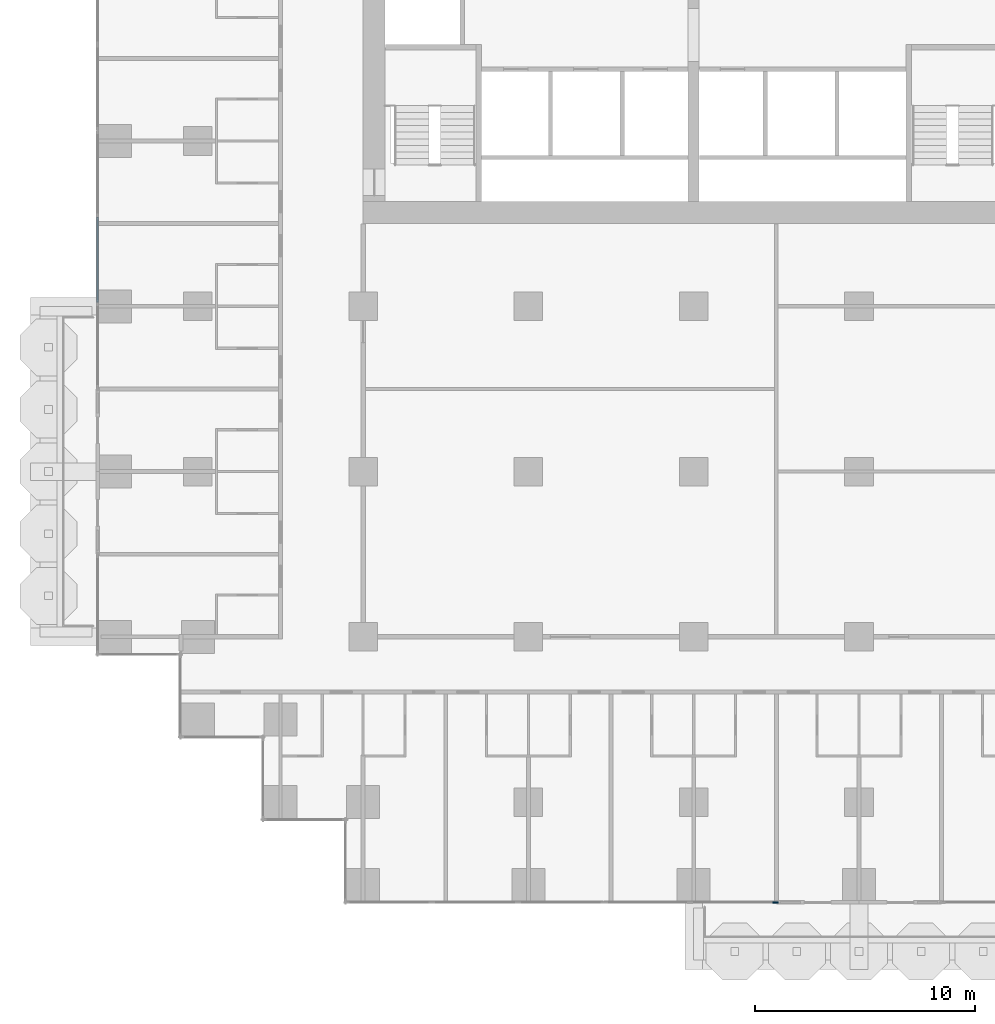
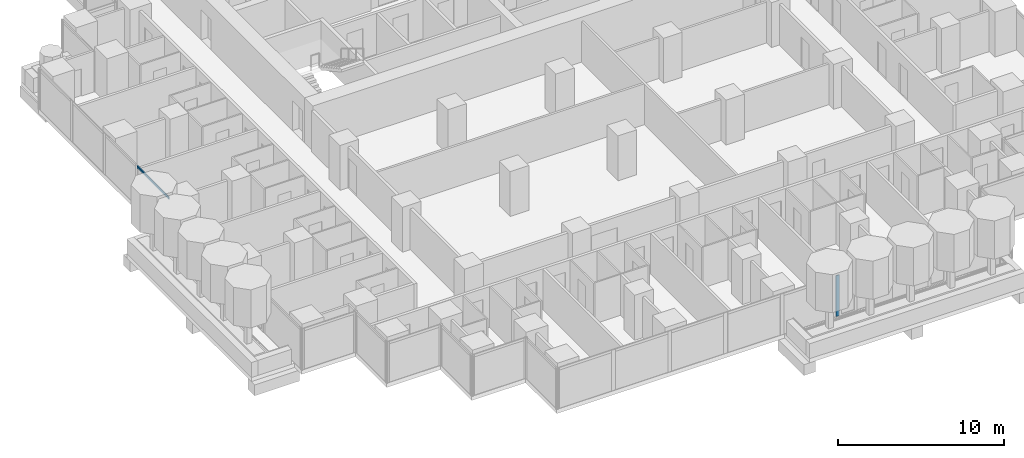
# One storey, part 3 of 20: 2 members, 2 elements without a shape of their own.
"""IFC4 building model written with IfcOpenShell, lengths in metres."""

import ifcopenshell
import ifcopenshell.guid

model = None  # the IFC model being written
_history = None  # IfcOwnerHistory: only IFC2X3 demands one
_inside = {}  # id of a spatial element -> (the spatial element, [elements in it])
_under = {}  # id of a project, library or spatial element -> (it, [spatial elements below it])
_declared = {}  # id of a project -> (the project, [libraries it declares])
_typed = {}  # id of a type object -> (the type object, [elements of that type])
_made_of = {}  # id of a material, layer set ... -> (it, [elements and type objects made of it])


def new_model(schema):
    """Start an empty IFC model of exactly this schema.

    Asked for "IFC4X3", IfcOpenShell would pick the latest addendum, in which some entities
    have other attributes; the version numbers below select the first issue.
    IFC2X3 requires an IfcOwnerHistory on every rooted entity: one is made here for all.
    """
    global model, _history
    if schema == "IFC4X3":
        model = ifcopenshell.file(schema_version=(4, 3, 0, 0))
    else:
        model = ifcopenshell.file(schema=schema)
    _inside.clear()
    _under.clear()
    _declared.clear()
    _typed.clear()
    _made_of.clear()
    _history = None
    if model.schema == "IFC2X3":
        org = make("IfcOrganization", Name="unknown")
        user = make(
            "IfcPersonAndOrganization",
            ThePerson=make("IfcPerson", FamilyName="unknown"),
            TheOrganization=org,
        )
        app = make(
            "IfcApplication",
            ApplicationDeveloper=org,
            Version="unknown",
            ApplicationFullName="unknown",
            ApplicationIdentifier="unknown",
        )
        _history = make(
            "IfcOwnerHistory",
            OwningUser=user,
            OwningApplication=app,
            ChangeAction="ADDED",
            CreationDate=0,
        )
    return model


def make(cls, **values):
    """One entity of the class cls with the attributes given. An attribute that is None is left unset."""
    return model.create_entity(
        cls, **{name: value for name, value in values.items() if value is not None}
    )


def rooted(cls, **values):
    """An entity with a GlobalId (a new one), such as an element, a storey or a relation."""
    return make(cls, GlobalId=ifcopenshell.guid.new(), OwnerHistory=_history, **values)


def si_unit(unit_type, name, prefix=None):
    """IfcSIUnit, for example si_unit("LENGTHUNIT", "METRE", prefix="MILLI")."""
    return make("IfcSIUnit", UnitType=unit_type, Prefix=prefix, Name=name)


def assignment(units):
    """IfcUnitAssignment: the units of a project."""
    return None if units is None else make("IfcUnitAssignment", Units=units)


def point(xyz):
    """IfcCartesianPoint."""
    return None if xyz is None else make("IfcCartesianPoint", Coordinates=xyz)


def direction(xyz):
    """IfcDirection."""
    return None if xyz is None else make("IfcDirection", DirectionRatios=xyz)


def frame(location, z_axis=None, x_axis=None):
    """IfcAxis2Placement3D, a coordinate frame: its origin and axes. An axis left out is left unset."""
    return make(
        "IfcAxis2Placement3D",
        Location=point(location),
        Axis=direction(z_axis),
        RefDirection=direction(x_axis),
    )


def frame_2d(location, x_axis=None):
    """IfcAxis2Placement2D, a coordinate frame in the plane: its origin and x axis."""
    return make(
        "IfcAxis2Placement2D", Location=point(location), RefDirection=direction(x_axis)
    )


def origin():
    """The frame at (0, 0, 0) with its axes left unset."""
    return frame((0.0, 0.0, 0.0))


def origin_2d():
    """The frame at (0, 0) in the plane with its x axis left unset."""
    return frame_2d((0.0, 0.0))


def place(relative_to, where):
    """IfcLocalPlacement: puts the frame where relative to a parent placement (None: the world)."""
    return make(
        "IfcLocalPlacement", PlacementRelTo=relative_to, RelativePlacement=where
    )


def context(
    kind, dimensions, precision=None, world=None, true_north=None, identifier=None
):
    """IfcGeometricRepresentationContext, for example the 3D "Model" context."""
    return make(
        "IfcGeometricRepresentationContext",
        ContextIdentifier=identifier,
        ContextType=kind,
        CoordinateSpaceDimension=dimensions,
        Precision=precision,
        WorldCoordinateSystem=world,
        TrueNorth=true_north,
    )


def subcontext(parent, identifier, kind, view, scale=None):
    """IfcGeometricRepresentationSubContext, for example "Body" below "Model"."""
    return make(
        "IfcGeometricRepresentationSubContext",
        ContextIdentifier=identifier,
        ContextType=kind,
        ParentContext=parent,
        TargetScale=scale,
        TargetView=view,
    )


def project(units=None, contexts=None):
    """IfcProject with its units and contexts."""
    return rooted(
        "IfcProject",
        Name="project",
        RepresentationContexts=contexts,
        UnitsInContext=assignment(units),
    )


def spatial(cls, under=None, at=None, **own):
    """A site, building, storey or space (cls), placed at a placement, below another one or the project."""
    s = rooted(cls, ObjectPlacement=at, **own)
    if under is not None:
        _under.setdefault(under.id(), (under, []))[1].append(s)
    return s


def profile(cls, at=None, kind="AREA", **sizes):
    """A parametric profile (cls). Its sizes go by their IFC names, for example OverallWidth=200.0."""
    return make(cls, ProfileType=kind, Position=at, **sizes)


def rectangle(**sizes):
    """IfcRectangleProfileDef."""
    return profile("IfcRectangleProfileDef", **sizes)


def extrude(swept, where, along, depth):
    """IfcExtrudedAreaSolid: the profile swept, set in the frame where, extruded along a direction by depth."""
    return make(
        "IfcExtrudedAreaSolid",
        SweptArea=swept,
        Position=where,
        ExtrudedDirection=direction(along),
        Depth=depth,
    )


def shape(context_of_items, identifier, shape_type, items):
    """IfcShapeRepresentation: the items that make up one representation, for example the "Body"."""
    return make(
        "IfcShapeRepresentation",
        ContextOfItems=context_of_items,
        RepresentationIdentifier=identifier,
        RepresentationType=shape_type,
        Items=items,
    )


def material(Name=None, Category=None):
    """IfcMaterial."""
    return make("IfcMaterial", Name=Name, Category=Category)


def material_profile(
    of_material, cross_section, Name=None, Category=None, Priority=None
):
    """IfcMaterialProfile: a cross section and its material."""
    return make(
        "IfcMaterialProfile",
        Name=Name,
        Material=of_material,
        Profile=cross_section,
        Priority=Priority,
        Category=Category,
    )


def profile_set(profiles, Name=None, composite=None):
    """IfcMaterialProfileSet."""
    return make(
        "IfcMaterialProfileSet",
        Name=Name,
        MaterialProfiles=profiles,
        CompositeProfile=composite,
    )


def made_of(thing, what):
    """Note that an element or type object is made of a material, layer set ...; save() writes the relation."""
    if what is not None:
        _made_of.setdefault(what.id(), (what, []))[1].append(thing)
    return thing


def type_object(cls, material=None, **own):
    """A type object (cls), such as IfcWallType, which elements share."""
    return made_of(rooted(cls, **own), material)


def element(
    cls,
    number,
    at=None,
    inside=None,
    cuts=None,
    type_object=None,
    material=None,
    context=None,
    identifier="Body",
    shape_type=None,
    held_by="IfcProductDefinitionShape",
    body=None,
    shapes=None,
    **own,
):
    """One element of the class cls, such as IfcWall. Its Tag is "e" and its number.

    at: its placement. inside: the storey or other place that contains it. cuts: it is an
    opening in that element (IfcRelVoidsElement). A single representation is given by context,
    identifier, shape_type and body (its items); several are given by shapes. held_by: the class
    of the entity that holds the representations. save() writes the other relations.
    """
    e = rooted(cls, Tag="e%d" % number, ObjectPlacement=at, **own)
    if body is not None:
        shapes = [shape(context, identifier, shape_type, body)]
    if shapes is not None:
        e.Representation = make(held_by, Representations=shapes)
    if inside is not None:
        _inside.setdefault(inside.id(), (inside, []))[1].append(e)
    if cuts is not None:
        rooted(
            "IfcRelVoidsElement", RelatingBuildingElement=cuts, RelatedOpeningElement=e
        )
    if type_object is not None:
        _typed.setdefault(type_object.id(), (type_object, []))[1].append(e)
    return made_of(e, material)


def aggregate(whole, parts):
    """IfcRelAggregates: a whole, such as a stair, and the parts it consists of."""
    return rooted("IfcRelAggregates", RelatingObject=whole, RelatedObjects=parts)


def save(model, path):
    """Write the relations noted so far, then the file.

    IfcRelAggregates (storeys below a building ...), IfcRelContainedInSpatialStructure (elements
    in a storey), IfcRelDefinesByType, IfcRelAssociatesMaterial and IfcRelDeclares: one each for
    every whole, place, type object, material and project.
    """
    for whole, parts in _under.values():
        aggregate(whole, parts)
    for where, things in _inside.values():
        rooted(
            "IfcRelContainedInSpatialStructure",
            RelatedElements=things,
            RelatingStructure=where,
        )
    for kind, things in _typed.values():
        rooted("IfcRelDefinesByType", RelatedObjects=things, RelatingType=kind)
    for what, things in _made_of.values():
        rooted("IfcRelAssociatesMaterial", RelatedObjects=things, RelatingMaterial=what)
    for by, libraries in _declared.values():
        rooted("IfcRelDeclares", RelatingContext=by, RelatedDefinitions=libraries)
    model.write(path)


model = new_model("IFC4")

# Units and contexts
model_context = context("Model", 3, precision=1e-05, world=origin(), true_north=direction((0.0, 1.0)))
body_context = subcontext(model_context, "Body", "Model", "MODEL_VIEW")
ifc_project = project(units=[si_unit("LENGTHUNIT", "METRE"), si_unit("AREAUNIT", "SQUARE_METRE"), si_unit("VOLUMEUNIT", "CUBIC_METRE"), si_unit("PLANEANGLEUNIT", "RADIAN"), si_unit("MASSUNIT", "GRAM", prefix="KILO")], contexts=[model_context])

# Site, building, storey
site_placement = place(None, origin())
site = spatial("IfcSite", under=ifc_project, at=site_placement, CompositionType="ELEMENT")
building_placement = place(site_placement, origin())
building = spatial("IfcBuilding", under=site, at=building_placement, Name="Pilkhan Gate Tower", CompositionType="ELEMENT")
storey_placement = place(building_placement, frame((0.0, 0.0, 85.699951171875)))
storey = spatial("IfcBuildingStorey", under=building, at=storey_placement, Name="L20", CompositionType="ELEMENT", Elevation=85.699951171875)

# Curtain wall, member
ifc_material_1 = material(Name="Pale anodised aluminium, clear low-iron double glazing", Category="aluminium")
curtain_wall_type = type_object("IfcCurtainWallType", Name="Hotel unitised curtain wall CW-H", PredefinedType="USERDEFINED", material=ifc_material_1)
curtain_wall_1_placement = place(storey_placement, origin())
curtain_wall_1 = element("IfcCurtainWall", 1, at=curtain_wall_1_placement, inside=storey, type_object=curtain_wall_type, Name="Hotel unitised curtain wall CW-H L20 S", ObjectType="UNITISED CURTAIN WALL", PredefinedType="USERDEFINED")
ifc_material_2 = material(Name="Pale anodised aluminium", Category="aluminium")
ifc_material_profile_1 = material_profile(ifc_material_2, rectangle(XDim=0.06494140625, YDim=0.25, at=origin_2d()), Name="Mullion 250x65")
ifc_profile_set_1 = profile_set([ifc_material_profile_1], Name="Pale anodised aluminium")
member_type_1 = type_object("IfcMemberType", Name="Mullion CW-H 250x65", PredefinedType="MULLION", material=ifc_profile_set_1)
member_1_placement = place(storey_placement, frame((78.717529296875, 40.455078125, 0.0), z_axis=(0.0, 0.0, 1.0), x_axis=(0.0, 1.0, 0.0)))
member_1 = element("IfcMember", 2, at=member_1_placement, type_object=member_type_1, Name="CW-H mullion 3", PredefinedType="MULLION", context=body_context, shape_type="SweptSolid", body=[
    extrude(rectangle(XDim=0.06494140625, YDim=0.25, at=origin_2d()), origin(), (0.0, 0.0, 1.0), 3.0),
])
aggregate(curtain_wall_1, [member_1])

curtain_wall_2_placement = place(storey_placement, origin())
curtain_wall_2 = element("IfcCurtainWall", 3, at=curtain_wall_2_placement, inside=storey, type_object=curtain_wall_type, Name="Hotel unitised curtain wall CW-H L20 W", ObjectType="UNITISED CURTAIN WALL", PredefinedType="USERDEFINED")
ifc_material_profile_2 = material_profile(ifc_material_2, rectangle(XDim=0.06494140625, YDim=0.179931640625, at=origin_2d()), Name="Transom 180x65")
ifc_profile_set_2 = profile_set([ifc_material_profile_2], Name="Pale anodised aluminium")
member_type_2 = type_object("IfcMemberType", Name="Transom CW-H 180x65", PredefinedType="USERDEFINED", material=ifc_profile_set_2)
member_2_placement = place(storey_placement, frame((47.955078125, 67.69140625, 2.91015625), z_axis=(0.0, 1.0, 0.0), x_axis=(-1.0, 0.0, 0.0)))
member_2 = element("IfcMember", 4, at=member_2_placement, type_object=member_type_2, Name="CW-H transom 2", ObjectType="TRANSOM", PredefinedType="USERDEFINED", context=body_context, shape_type="SweptSolid", body=[
    extrude(rectangle(XDim=0.06494140625, YDim=0.179931640625, at=origin_2d()), origin(), (0.0, 0.0, 1.0), 3.843994140625),
])
aggregate(curtain_wall_2, [member_2])

save(model, "model.ifc")
